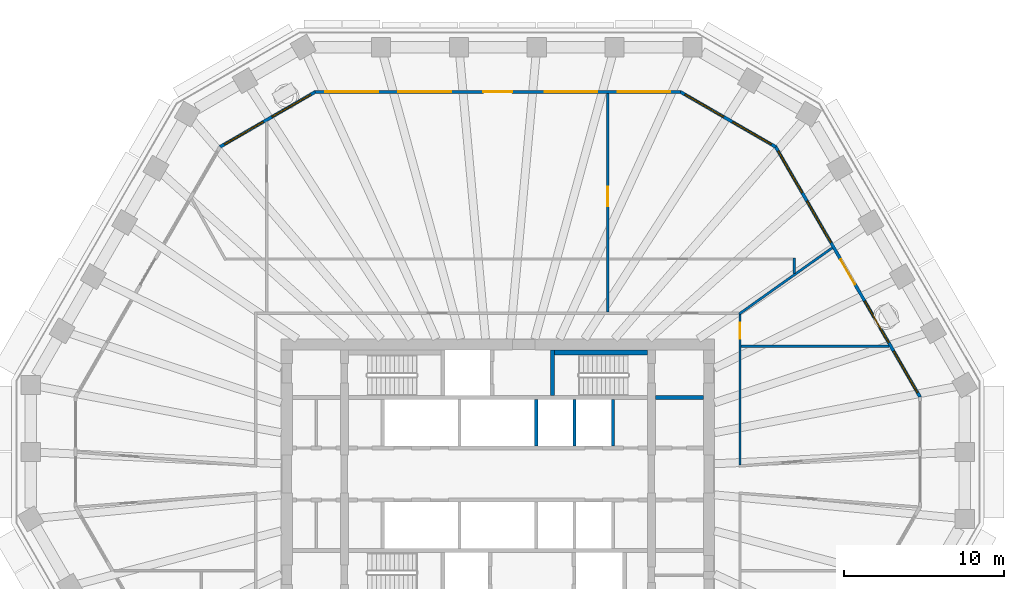
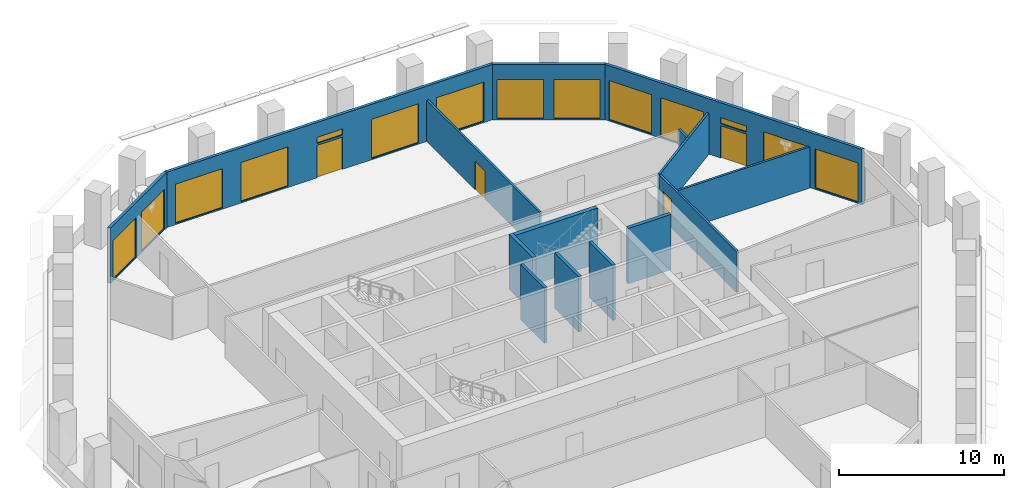
# One storey, part 7 of 12: 15 walls, 14 windows, 4 doors, 18 openings.
"""IFC4 building model written with IfcOpenShell, lengths in metres."""

from ifc_helpers import new_model, si_unit, direction, frame, frame_2d, origin, place, context, subcontext, project, spatial, polyline, rectangle, outline, extrude, material, layer, layer_set, type_object, element, fill, save


model = new_model("IFC4")

# Units and contexts
model_context = context("Model", 3, precision=1e-05, world=origin(), true_north=direction((0.0, 1.0)))
body_context = subcontext(model_context, "Body", "Model", "MODEL_VIEW")
ifc_project = project(units=[si_unit("LENGTHUNIT", "METRE"), si_unit("AREAUNIT", "SQUARE_METRE"), si_unit("VOLUMEUNIT", "CUBIC_METRE"), si_unit("PLANEANGLEUNIT", "RADIAN"), si_unit("MASSUNIT", "GRAM", prefix="KILO")], contexts=[model_context])

# Site, building, storey
site_placement = place(None, origin())
site = spatial("IfcSite", under=ifc_project, at=site_placement, CompositionType="ELEMENT")
building_placement = place(site_placement, origin())
building = spatial("IfcBuilding", under=site, at=building_placement, Name="Frailejon Research Tower", CompositionType="ELEMENT")
storey_placement = place(building_placement, frame((0.0, 0.0, 189.199951171875)))
storey = spatial("IfcBuildingStorey", under=building, at=storey_placement, Name="L41", CompositionType="ELEMENT", Elevation=189.199951171875)

# Wall, opening, door
ifc_material_1 = material(Name="Gypsum board and masonry partition", Category="masonry")
ifc_layer_1 = layer(ifc_material_1, 0.14990234375)
ifc_layer_set_1 = layer_set([ifc_layer_1], Name="Corridor wall EI 60, gypsum on steel studs 150")
wall_type_1 = type_object("IfcWallType", Name="Corridor wall EI 60, gypsum on steel studs 150", PredefinedType="PARTITIONING", material=ifc_layer_set_1)
wall_1_placement = place(storey_placement, frame((15.14990234375, 0.57568359375, 0.0), z_axis=(0.0, 0.0, 1.0), x_axis=(0.0, 1.0, 0.0)))
wall_1 = element("IfcWall", 1, at=wall_1_placement, inside=storey, type_object=wall_type_1, Name="T:IW:L41:002", PredefinedType="PARTITIONING", context=body_context, shape_type="SweptSolid", body=[
    extrude(rectangle(XDim=9.3994140625, YDim=0.14990234375, at=frame_2d((4.69970703125, 0.0))), origin(), (0.0, 0.0, 1.0), 3.050048828125),
])
opening_1_placement = place(wall_1_placement, frame((7.88671875, 0.0, 0.0)))
opening_1 = element("IfcOpeningElement", 2, at=opening_1_placement, cuts=wall_1, Name="Opening D1884", PredefinedType="OPENING", context=body_context, shape_type="SweptSolid", body=[
    extrude(rectangle(XDim=1.0, YDim=2.10009765625, at=frame_2d((0.5, 1.050048828125))), frame((0.0, 0.0849609375, 0.0), z_axis=(0.0, -1.0, 0.0), x_axis=(1.0, 0.0, 0.0)), (0.0, 0.0, 1.0), 0.169921875),
])
ifc_material_2 = material(Name="Timber door leaf", Category="wood")
door_type_1 = type_object("IfcDoorType", Name="Door laboratory, timber, vision panel 1000", OperationType="NOTDEFINED", PredefinedType="DOOR", material=ifc_material_2)
door_1_placement = place(opening_1_placement, origin())
door_1 = element("IfcDoor", 3, at=door_1_placement, inside=storey, type_object=door_type_1, Name="D1884", OperationType="SINGLE_SWING_RIGHT", OverallHeight=2.10009765625, OverallWidth=1.0, PredefinedType="DOOR", context=body_context, shape_type="SweptSolid", body=[
    extrude(rectangle(XDim=1.0, YDim=2.10009765625, at=frame_2d((0.5, 1.050048828125))), frame((0.0, 0.02490234375, 0.0), z_axis=(0.0, -1.0, 0.0), x_axis=(1.0, 0.0, 0.0)), (0.0, 0.0, 1.0), 0.050048828125),
])
fill(opening_1, door_1)

# Walls
ifc_material_3 = material(Name="Gypsum board and masonry partition", Category="masonry")
ifc_layer_2 = layer(ifc_material_3, 0.14990234375)
ifc_layer_set_2 = layer_set([ifc_layer_2], Name="Laboratory partition, blockwork 150")
wall_type_2 = type_object("IfcWallType", Name="Laboratory partition, blockwork 150", PredefinedType="PARTITIONING", material=ifc_layer_set_2)
wall_2_placement = place(storey_placement, frame((15.22509765625, 7.984619140625, 0.0), z_axis=(0.0, 0.0, 1.0), x_axis=(1.0, 0.0, 0.0)))
element("IfcWall", 4, at=wall_2_placement, inside=storey, type_object=wall_type_2, Name="T:IW:L41:011", PredefinedType="PARTITIONING", context=body_context, shape_type="SweptSolid", body=[
    extrude(rectangle(XDim=9.243408203125, YDim=0.14990234375, at=frame_2d((4.62158203125, 0.0))), origin(), (0.0, 0.0, 1.0), 3.050048828125),
])
wall_3_placement = place(storey_placement, frame((15.0888671875, 10.006591796875, 0.0), z_axis=(0.0, 0.0, 1.0), x_axis=(0.815227116073, 0.579141389661, 0.0)))
element("IfcWall", 5, at=wall_3_placement, inside=storey, type_object=wall_type_2, Name="T:IW:L41:012", PredefinedType="PARTITIONING", context=body_context, shape_type="SweptSolid", body=[
    extrude(rectangle(XDim=7.143798828125, YDim=0.14990234375, at=frame_2d((3.57177734375, 0.0))), origin(), (0.0, 0.0, 1.0), 3.050048828125),
])
wall_4_placement = place(storey_placement, frame((18.550048828125, 12.54052734375, 0.0), z_axis=(0.0, 0.0, 1.0), x_axis=(0.0, 1.0, 0.0)))
element("IfcWall", 6, at=wall_4_placement, inside=storey, type_object=wall_type_2, Name="T:IW:L41:014", PredefinedType="PARTITIONING", context=body_context, shape_type="SweptSolid", body=[
    extrude(rectangle(XDim=0.984375, YDim=0.14990234375, at=frame_2d((0.4921875, 0.0))), origin(), (0.0, 0.0, 1.0), 3.050048828125),
])

# Wall, opening, door
wall_5_placement = place(storey_placement, frame((6.871826171875, 10.125, 0.0), z_axis=(0.0, 0.0, 1.0), x_axis=(0.0, 1.0, 0.0)))
wall_5 = element("IfcWall", 7, at=wall_5_placement, inside=storey, type_object=wall_type_2, Name="T:IW:L41:015", PredefinedType="PARTITIONING", context=body_context, shape_type="SweptSolid", body=[
    extrude(rectangle(XDim=13.675048828125, YDim=0.14990234375, at=frame_2d((6.83740234375, 0.0))), origin(), (0.0, 0.0, 1.0), 3.050048828125),
])
opening_2_placement = place(wall_5_placement, frame((6.632568359375, 0.0, 0.0)))
opening_2 = element("IfcOpeningElement", 8, at=opening_2_placement, cuts=wall_5, Name="Opening D1887", PredefinedType="OPENING", context=body_context, shape_type="SweptSolid", body=[
    extrude(rectangle(XDim=1.199951171875, YDim=2.10009765625, at=frame_2d((0.60009765625, 1.050048828125))), frame((0.0, 0.0849609375, 0.0), z_axis=(0.0, -1.0, 0.0), x_axis=(1.0, 0.0, 0.0)), (0.0, 0.0, 1.0), 0.169921875),
])
ifc_material_4 = material(Name="Timber door leaf", Category="wood")
door_type_2 = type_object("IfcDoorType", Name="Door laboratory, timber, vision panel 1200", OperationType="NOTDEFINED", PredefinedType="DOOR", material=ifc_material_4)
door_2_placement = place(opening_2_placement, origin())
door_2 = element("IfcDoor", 9, at=door_2_placement, inside=storey, type_object=door_type_2, Name="D1887", OperationType="DOUBLE_DOOR_SINGLE_SWING", OverallHeight=2.10009765625, OverallWidth=1.199951171875, PredefinedType="DOOR", context=body_context, shape_type="SweptSolid", body=[
    extrude(rectangle(XDim=1.199951171875, YDim=2.10009765625, at=frame_2d((0.60009765625, 1.050048828125))), frame((0.0, 0.02490234375, 0.0), z_axis=(0.0, -1.0, 0.0), x_axis=(1.0, 0.0, 0.0)), (0.0, 0.0, 1.0), 0.050048828125),
])
fill(opening_2, door_2)

# Walls
ifc_material_5 = material(Name="Concrete C60/75", Category="concrete")
ifc_layer_3 = layer(ifc_material_5, 0.199951171875)
ifc_layer_set_3 = layer_set([ifc_layer_3], Name="Shaft wall 200 C60/75")
wall_type_3 = type_object("IfcWallType", Name="Shaft wall 200 C60/75", PredefinedType="SOLIDWALL", material=ifc_layer_set_3)
for number, where, z_axis, x_axis, name in (
    (10, (2.39990234375, 1.75, 0.0), (0.0, 0.0, 1.0), (0.0, 1.0, 0.0), "Shaft wall"),
    (11, (4.800048828125, 1.75, 0.0), (0.0, 0.0, 1.0), (0.0, 1.0, 0.0), "Shaft wall"),
    (12, (7.199951171875, 1.75, 0.0), (0.0, 0.0, 1.0), (0.0, 1.0, 0.0), "Shaft wall"),
):
    element("IfcWall", number, at=place(storey_placement, frame(where, z_axis=z_axis, x_axis=x_axis)), inside=storey, type_object=wall_type_3, Name=name, PredefinedType="SOLIDWALL", context=body_context, shape_type="SweptSolid", body=[
        extrude(rectangle(XDim=2.89990234375, YDim=0.199951171875, at=frame_2d((1.449951171875, 0.0))), origin(), (0.0, 0.0, 1.0), 4.10009765625),
    ])
ifc_material_6 = material(Name="Concrete C60/75", Category="concrete")
ifc_layer_4 = layer(ifc_material_6, 0.25)
ifc_layer_set_4 = layer_set([ifc_layer_4], Name="Shaft wall 250 C60/75")
wall_type_4 = type_object("IfcWallType", Name="Shaft wall 250 C60/75", PredefinedType="SOLIDWALL", material=ifc_layer_set_4)
wall_6_placement = place(storey_placement, frame((9.85009765625, 4.77490234375, 0.0), z_axis=(0.0, 0.0, 1.0), x_axis=(1.0, 0.0, 0.0)))
element("IfcWall", 13, at=wall_6_placement, inside=storey, type_object=wall_type_4, Name="Shaft wall", PredefinedType="SOLIDWALL", context=body_context, shape_type="SweptSolid", body=[
    extrude(rectangle(XDim=3.0, YDim=0.25, at=frame_2d((1.5, 0.0))), origin(), (0.0, 0.0, 1.0), 4.10009765625),
])
wall_7_placement = place(storey_placement, frame((3.425048828125, 4.89990234375, 0.0), z_axis=(0.0, 0.0, 1.0), x_axis=(0.0, 1.0, 0.0)))
element("IfcWall", 14, at=wall_7_placement, inside=storey, type_object=wall_type_4, Name="Shaft wall", PredefinedType="SOLIDWALL", context=body_context, shape_type="SweptSolid", body=[
    extrude(rectangle(XDim=2.85009765625, YDim=0.25, at=frame_2d((1.425048828125, 0.0))), origin(), (0.0, 0.0, 1.0), 4.10009765625),
])
ifc_material_7 = material(Name="Concrete C60/75", Category="concrete")
ifc_layer_5 = layer(ifc_material_7, 0.300048828125)
ifc_layer_set_5 = layer_set([ifc_layer_5], Name="Shaft wall 300 C60/75")
wall_type_5 = type_object("IfcWallType", Name="Shaft wall 300 C60/75", PredefinedType="SOLIDWALL", material=ifc_layer_set_5)
wall_8_placement = place(storey_placement, frame((3.550048828125, 7.60009765625, 0.0), z_axis=(0.0, 0.0, 1.0), x_axis=(1.0, 0.0, 0.0)))
element("IfcWall", 15, at=wall_8_placement, inside=storey, type_object=wall_type_5, Name="Shaft wall", PredefinedType="SOLIDWALL", context=body_context, shape_type="SweptSolid", body=[
    extrude(rectangle(XDim=5.800048828125, YDim=0.300048828125, at=frame_2d((2.89990234375, 0.0))), origin(), (0.0, 0.0, 1.0), 4.10009765625),
])

# Wall, openings, door, windows
ifc_material_8 = material(Name="Concrete C40/50 precast window wall panel", Category="concrete")
ifc_layer_6 = layer(ifc_material_8, 0.199951171875)
ifc_layer_set_6 = layer_set([ifc_layer_6], Name="Window wall 200")
wall_type_6 = type_object("IfcWallType", Name="Window wall 200", PredefinedType="SOLIDWALL", material=ifc_layer_set_6)
wall_9_placement = place(storey_placement, frame((26.4111328125, 4.820068359375, 0.0), z_axis=(0.0, 0.0, 1.0), x_axis=(-0.500000137386, 0.866025324465, 0.0)))
wall_9 = element("IfcWall", 16, at=wall_9_placement, inside=storey, type_object=wall_type_6, Name="Exterior wall L41", PredefinedType="SOLIDWALL", context=body_context, shape_type="SweptSolid", body=[
    extrude(outline(polyline([(-0.02685546875, -0.10009765625), (0.9794921875, -0.10009765625), (1.986083984375, -0.10009765625), (2.992431640625, -0.10009765625), (3.9990234375, -0.10009765625), (5.00537109375, -0.10009765625), (6.011962890625, -0.10009765625), (7.018310546875, -0.10009765625), (8.02490234375, -0.10009765625), (9.03125, -0.10009765625), (10.03759765625, -0.10009765625), (11.044189453125, -0.10009765625), (12.050537109375, -0.10009765625), (13.05712890625, -0.10009765625), (14.0634765625, -0.10009765625), (15.070068359375, -0.10009765625), (16.076416015625, -0.10009765625), (17.0830078125, -0.10009765625), (18.08935546875, -0.10009765625), (18.03564453125, 0.10009765625), (17.03515625, 0.10009765625), (16.03466796875, 0.10009765625), (15.0341796875, 0.10009765625), (14.03369140625, 0.10009765625), (13.033203125, 0.10009765625), (12.03271484375, 0.10009765625), (11.0322265625, 0.10009765625), (10.03173828125, 0.10009765625), (9.03125, 0.10009765625), (8.03076171875, 0.10009765625), (7.0302734375, 0.10009765625), (6.02978515625, 0.10009765625), (5.029296875, 0.10009765625), (4.02880859375, 0.10009765625), (3.0283203125, 0.10009765625), (2.02783203125, 0.10009765625), (1.02734375, 0.10009765625), (0.02685546875, 0.10009765625), (-0.02685546875, -0.10009765625)])), origin(), (0.0, 0.0, 1.0), 4.10009765625),
])
opening_3_placement = place(wall_9_placement, frame((0.306396484375, 0.0, 0.10009765625)))
opening_3 = element("IfcOpeningElement", 17, at=opening_3_placement, cuts=wall_9, Name="Opening W4", PredefinedType="OPENING", context=body_context, shape_type="SweptSolid", body=[
    extrude(rectangle(XDim=3.0, YDim=2.89990234375, at=frame_2d((1.5, 1.449951171875))), frame((0.0, 0.10986328125, 0.0), z_axis=(0.0, -1.0, 0.0), x_axis=(1.0, 0.0, 0.0)), (0.0, 0.0, 1.0), 0.219970703125),
])
opening_4_placement = place(wall_9_placement, frame((3.918701171875, 0.0, 0.10009765625)))
opening_4 = element("IfcOpeningElement", 18, at=opening_4_placement, cuts=wall_9, Name="Opening W4", PredefinedType="OPENING", context=body_context, shape_type="SweptSolid", body=[
    extrude(rectangle(XDim=3.0, YDim=2.89990234375, at=frame_2d((1.5, 1.449951171875))), frame((0.0, 0.10986328125, 0.0), z_axis=(0.0, -1.0, 0.0), x_axis=(1.0, 0.0, 0.0)), (0.0, 0.0, 1.0), 0.219970703125),
])
opening_5_placement = place(wall_9_placement, frame((8.13134765625, 0.0, 0.0)))
opening_5 = element("IfcOpeningElement", 19, at=opening_5_placement, cuts=wall_9, Name="Opening LG41-1", PredefinedType="OPENING", context=body_context, shape_type="SweptSolid", body=[
    extrude(rectangle(XDim=1.800048828125, YDim=2.39990234375, at=frame_2d((0.89990234375, 1.199951171875))), frame((0.0, 0.10986328125, 0.0), z_axis=(0.0, -1.0, 0.0), x_axis=(1.0, 0.0, 0.0)), (0.0, 0.0, 1.0), 0.219970703125),
])
opening_6_placement = place(wall_9_placement, frame((8.13134765625, 0.0, 2.550048828125)))
opening_6 = element("IfcOpeningElement", 20, at=opening_6_placement, cuts=wall_9, Name="Opening W1", PredefinedType="OPENING", context=body_context, shape_type="SweptSolid", body=[
    extrude(rectangle(XDim=1.800048828125, YDim=0.449951171875, at=frame_2d((0.89990234375, 0.22509765625))), frame((0.0, 0.10986328125, 0.0), z_axis=(0.0, -1.0, 0.0), x_axis=(1.0, 0.0, 0.0)), (0.0, 0.0, 1.0), 0.219970703125),
])
opening_7_placement = place(wall_9_placement, frame((11.143798828125, 0.0, 0.10009765625)))
opening_7 = element("IfcOpeningElement", 21, at=opening_7_placement, cuts=wall_9, Name="Opening W4", PredefinedType="OPENING", context=body_context, shape_type="SweptSolid", body=[
    extrude(rectangle(XDim=3.0, YDim=2.89990234375, at=frame_2d((1.5, 1.449951171875))), frame((0.0, 0.10986328125, 0.0), z_axis=(0.0, -1.0, 0.0), x_axis=(1.0, 0.0, 0.0)), (0.0, 0.0, 1.0), 0.219970703125),
])
opening_8_placement = place(wall_9_placement, frame((14.75634765625, 0.0, 0.10009765625)))
opening_8 = element("IfcOpeningElement", 22, at=opening_8_placement, cuts=wall_9, Name="Opening W4", PredefinedType="OPENING", context=body_context, shape_type="SweptSolid", body=[
    extrude(rectangle(XDim=3.0, YDim=2.89990234375, at=frame_2d((1.5, 1.449951171875))), frame((0.0, 0.10986328125, 0.0), z_axis=(0.0, -1.0, 0.0), x_axis=(1.0, 0.0, 0.0)), (0.0, 0.0, 1.0), 0.219970703125),
])
ifc_material_9 = material(Name="Aluminium framed glazed door leaf", Category="aluminium")
door_type_3 = type_object("IfcDoorType", Name="Loggia door 1800x2400", OperationType="DOUBLE_DOOR_SINGLE_SWING", PredefinedType="DOOR", material=ifc_material_9)
door_3_placement = place(opening_5_placement, origin())
door_3 = element("IfcDoor", 23, at=door_3_placement, inside=storey, type_object=door_type_3, Name="Door LG41-1", OperationType="DOUBLE_DOOR_SINGLE_SWING", OverallHeight=2.39990234375, OverallWidth=1.800048828125, PredefinedType="DOOR", context=body_context, shape_type="SweptSolid", body=[
    extrude(rectangle(XDim=1.800048828125, YDim=2.39990234375, at=frame_2d((0.89990234375, 1.199951171875))), frame((0.0, 0.02490234375, 0.0), z_axis=(0.0, -1.0, 0.0), x_axis=(1.0, 0.0, 0.0)), (0.0, 0.0, 1.0), 0.050048828125),
])
fill(opening_5, door_3)
ifc_material_10 = material(Name="Aluminium framed double glazing", Category="aluminium")
window_type_1 = type_object("IfcWindowType", Name="Window 1800x450", PartitioningType="SINGLE_PANEL", PredefinedType="WINDOW", material=ifc_material_10)
window_1_placement = place(opening_6_placement, origin())
window_1 = element("IfcWindow", 24, at=window_1_placement, inside=storey, type_object=window_type_1, Name="Window L41", OverallHeight=0.449951171875, OverallWidth=1.800048828125, PartitioningType="SINGLE_PANEL", PredefinedType="WINDOW", context=body_context, shape_type="SweptSolid", body=[
    extrude(rectangle(XDim=1.800048828125, YDim=0.449951171875, at=frame_2d((0.89990234375, 0.22509765625))), frame((0.0, 0.030029296875, 0.0), z_axis=(0.0, -1.0, 0.0), x_axis=(1.0, 0.0, 0.0)), (0.0, 0.0, 1.0), 0.06005859375),
])
fill(opening_6, window_1)
ifc_material_11 = material(Name="Aluminium framed double glazing", Category="aluminium")
window_type_2 = type_object("IfcWindowType", Name="Window 3000x2900", PartitioningType="SINGLE_PANEL", PredefinedType="WINDOW", material=ifc_material_11)
window_2_placement = place(opening_3_placement, origin())
window_2 = element("IfcWindow", 25, at=window_2_placement, inside=storey, type_object=window_type_2, Name="Window L41", OverallHeight=2.89990234375, OverallWidth=3.0, PartitioningType="SINGLE_PANEL", PredefinedType="WINDOW", context=body_context, shape_type="SweptSolid", body=[
    extrude(rectangle(XDim=3.0, YDim=2.89990234375, at=frame_2d((1.5, 1.449951171875))), frame((0.0, 0.030029296875, 0.0), z_axis=(0.0, -1.0, 0.0), x_axis=(1.0, 0.0, 0.0)), (0.0, 0.0, 1.0), 0.06005859375),
])
fill(opening_3, window_2)
window_3_placement = place(opening_4_placement, origin())
window_3 = element("IfcWindow", 26, at=window_3_placement, inside=storey, type_object=window_type_2, Name="Window L41", OverallHeight=2.89990234375, OverallWidth=3.0, PartitioningType="SINGLE_PANEL", PredefinedType="WINDOW", context=body_context, shape_type="SweptSolid", body=[
    extrude(rectangle(XDim=3.0, YDim=2.89990234375, at=frame_2d((1.5, 1.449951171875))), frame((0.0, 0.030029296875, 0.0), z_axis=(0.0, -1.0, 0.0), x_axis=(1.0, 0.0, 0.0)), (0.0, 0.0, 1.0), 0.06005859375),
])
fill(opening_4, window_3)
window_4_placement = place(opening_7_placement, origin())
window_4 = element("IfcWindow", 27, at=window_4_placement, inside=storey, type_object=window_type_2, Name="Window L41", OverallHeight=2.89990234375, OverallWidth=3.0, PartitioningType="SINGLE_PANEL", PredefinedType="WINDOW", context=body_context, shape_type="SweptSolid", body=[
    extrude(rectangle(XDim=3.0, YDim=2.89990234375, at=frame_2d((1.5, 1.449951171875))), frame((0.0, 0.030029296875, 0.0), z_axis=(0.0, -1.0, 0.0), x_axis=(1.0, 0.0, 0.0)), (0.0, 0.0, 1.0), 0.06005859375),
])
fill(opening_7, window_4)
window_5_placement = place(opening_8_placement, origin())
window_5 = element("IfcWindow", 28, at=window_5_placement, inside=storey, type_object=window_type_2, Name="Window L41", OverallHeight=2.89990234375, OverallWidth=3.0, PartitioningType="SINGLE_PANEL", PredefinedType="WINDOW", context=body_context, shape_type="SweptSolid", body=[
    extrude(rectangle(XDim=3.0, YDim=2.89990234375, at=frame_2d((1.5, 1.449951171875))), frame((0.0, 0.030029296875, 0.0), z_axis=(0.0, -1.0, 0.0), x_axis=(1.0, 0.0, 0.0)), (0.0, 0.0, 1.0), 0.06005859375),
])
fill(opening_8, window_5)

# Wall, openings, windows
wall_10_placement = place(storey_placement, frame((17.3798828125, 20.462646484375, 0.0), z_axis=(0.0, 0.0, 1.0), x_axis=(-0.866029458321, 0.49999297727, 0.0)))
wall_10 = element("IfcWall", 29, at=wall_10_placement, inside=storey, type_object=wall_type_6, Name="Exterior wall L41", PredefinedType="SOLIDWALL", context=body_context, shape_type="SweptSolid", body=[
    extrude(outline(polyline([(-0.02685546875, -0.10009765625), (1.1279296875, -0.10009765625), (2.282470703125, -0.10009765625), (3.437255859375, -0.10009765625), (4.592041015625, -0.10009765625), (5.74658203125, -0.10009765625), (6.9013671875, -0.10009765625), (6.84765625, 0.10009765625), (5.7109375, 0.10009765625), (4.573974609375, 0.10009765625), (3.437255859375, 0.10009765625), (2.300537109375, 0.10009765625), (1.16357421875, 0.10009765625), (0.02685546875, 0.10009765625), (-0.02685546875, -0.10009765625)])), origin(), (0.0, 0.0, 1.0), 4.10009765625),
])
opening_9_placement = place(wall_10_placement, frame((0.318603515625, 0.0, 0.10009765625)))
opening_9 = element("IfcOpeningElement", 30, at=opening_9_placement, cuts=wall_10, Name="Opening W3", PredefinedType="OPENING", context=body_context, shape_type="SweptSolid", body=[
    extrude(rectangle(XDim=2.800048828125, YDim=2.89990234375, at=frame_2d((1.39990234375, 1.449951171875))), frame((0.0, 0.10986328125, 0.0), z_axis=(0.0, -1.0, 0.0), x_axis=(1.0, 0.0, 0.0)), (0.0, 0.0, 1.0), 0.219970703125),
])
opening_10_placement = place(wall_10_placement, frame((3.756103515625, 0.0, 0.10009765625)))
opening_10 = element("IfcOpeningElement", 31, at=opening_10_placement, cuts=wall_10, Name="Opening W3", PredefinedType="OPENING", context=body_context, shape_type="SweptSolid", body=[
    extrude(rectangle(XDim=2.800048828125, YDim=2.89990234375, at=frame_2d((1.39990234375, 1.449951171875))), frame((0.0, 0.10986328125, 0.0), z_axis=(0.0, -1.0, 0.0), x_axis=(1.0, 0.0, 0.0)), (0.0, 0.0, 1.0), 0.219970703125),
])
ifc_material_12 = material(Name="Aluminium framed double glazing", Category="aluminium")
window_type_3 = type_object("IfcWindowType", Name="Window 2800x2900", PartitioningType="SINGLE_PANEL", PredefinedType="WINDOW", material=ifc_material_12)
window_6_placement = place(opening_9_placement, origin())
window_6 = element("IfcWindow", 32, at=window_6_placement, inside=storey, type_object=window_type_3, Name="Window L41", OverallHeight=2.89990234375, OverallWidth=2.800048828125, PartitioningType="SINGLE_PANEL", PredefinedType="WINDOW", context=body_context, shape_type="SweptSolid", body=[
    extrude(rectangle(XDim=2.800048828125, YDim=2.89990234375, at=frame_2d((1.39990234375, 1.449951171875))), frame((0.0, 0.030029296875, 0.0), z_axis=(0.0, -1.0, 0.0), x_axis=(1.0, 0.0, 0.0)), (0.0, 0.0, 1.0), 0.06005859375),
])
fill(opening_9, window_6)
window_7_placement = place(opening_10_placement, origin())
window_7 = element("IfcWindow", 33, at=window_7_placement, inside=storey, type_object=window_type_3, Name="Window L41", OverallHeight=2.89990234375, OverallWidth=2.800048828125, PartitioningType="SINGLE_PANEL", PredefinedType="WINDOW", context=body_context, shape_type="SweptSolid", body=[
    extrude(rectangle(XDim=2.800048828125, YDim=2.89990234375, at=frame_2d((1.39990234375, 1.449951171875))), frame((0.0, 0.030029296875, 0.0), z_axis=(0.0, -1.0, 0.0), x_axis=(1.0, 0.0, 0.0)), (0.0, 0.0, 1.0), 0.06005859375),
])
fill(opening_10, window_7)

# Wall, openings, door, windows
wall_11_placement = place(storey_placement, frame((11.42626953125, 23.89990234375, 0.0), z_axis=(0.0, 0.0, 1.0), x_axis=(-1.0, 0.0, 0.0)))
wall_11 = element("IfcWall", 34, at=wall_11_placement, inside=storey, type_object=wall_type_6, Name="Exterior wall L41", PredefinedType="SOLIDWALL", context=body_context, shape_type="SweptSolid", body=[
    extrude(outline(polyline([(-0.02685546875, -0.10009765625), (1.014404296875, -0.10009765625), (2.055419921875, -0.10009765625), (3.0966796875, -0.10009765625), (4.137939453125, -0.10009765625), (5.17919921875, -0.10009765625), (6.22021484375, -0.10009765625), (7.261474609375, -0.10009765625), (8.302734375, -0.10009765625), (9.343994140625, -0.10009765625), (10.385009765625, -0.10009765625), (11.42626953125, -0.10009765625), (12.467529296875, -0.10009765625), (13.508544921875, -0.10009765625), (14.5498046875, -0.10009765625), (15.591064453125, -0.10009765625), (16.63232421875, -0.10009765625), (17.67333984375, -0.10009765625), (18.714599609375, -0.10009765625), (19.755859375, -0.10009765625), (20.797119140625, -0.10009765625), (21.838134765625, -0.10009765625), (22.87939453125, -0.10009765625), (22.82568359375, 0.10009765625), (21.789306640625, 0.10009765625), (20.753173828125, 0.10009765625), (19.716796875, 0.10009765625), (18.680419921875, 0.10009765625), (17.64404296875, 0.10009765625), (16.60791015625, 0.10009765625), (15.571533203125, 0.10009765625), (14.53515625, 0.10009765625), (13.498779296875, 0.10009765625), (12.462646484375, 0.10009765625), (11.42626953125, 0.10009765625), (10.389892578125, 0.10009765625), (9.353759765625, 0.10009765625), (8.3173828125, 0.10009765625), (7.281005859375, 0.10009765625), (6.24462890625, 0.10009765625), (5.20849609375, 0.10009765625), (4.172119140625, 0.10009765625), (3.1357421875, 0.10009765625), (2.099365234375, 0.10009765625), (1.063232421875, 0.10009765625), (0.02685546875, 0.10009765625), (-0.02685546875, -0.10009765625)])), origin(), (0.0, 0.0, 1.0), 4.10009765625),
])
opening_11_placement = place(wall_11_placement, frame((0.63525390625, 0.0, 0.10009765625)))
opening_11 = element("IfcOpeningElement", 35, at=opening_11_placement, cuts=wall_11, Name="Opening W5", PredefinedType="OPENING", context=body_context, shape_type="SweptSolid", body=[
    extrude(rectangle(XDim=3.300048828125, YDim=2.89990234375, at=frame_2d((1.64990234375, 1.449951171875))), frame((0.0, 0.10986328125, 0.0), z_axis=(0.0, -1.0, 0.0), x_axis=(1.0, 0.0, 0.0)), (0.0, 0.0, 1.0), 0.219970703125),
])
opening_12_placement = place(wall_11_placement, frame((5.205810546875, 0.0, 0.10009765625)))
opening_12 = element("IfcOpeningElement", 36, at=opening_12_placement, cuts=wall_11, Name="Opening W5", PredefinedType="OPENING", context=body_context, shape_type="SweptSolid", body=[
    extrude(rectangle(XDim=3.300048828125, YDim=2.89990234375, at=frame_2d((1.64990234375, 1.449951171875))), frame((0.0, 0.10986328125, 0.0), z_axis=(0.0, -1.0, 0.0), x_axis=(1.0, 0.0, 0.0)), (0.0, 0.0, 1.0), 0.219970703125),
])
opening_13_placement = place(wall_11_placement, frame((10.5263671875, 0.0, 0.0)))
opening_13 = element("IfcOpeningElement", 37, at=opening_13_placement, cuts=wall_11, Name="Opening LG41-2", PredefinedType="OPENING", context=body_context, shape_type="SweptSolid", body=[
    extrude(rectangle(XDim=1.800048828125, YDim=2.39990234375, at=frame_2d((0.89990234375, 1.199951171875))), frame((0.0, 0.10986328125, 0.0), z_axis=(0.0, -1.0, 0.0), x_axis=(1.0, 0.0, 0.0)), (0.0, 0.0, 1.0), 0.219970703125),
])
opening_14_placement = place(wall_11_placement, frame((10.5263671875, 0.0, 2.550048828125)))
opening_14 = element("IfcOpeningElement", 38, at=opening_14_placement, cuts=wall_11, Name="Opening W1", PredefinedType="OPENING", context=body_context, shape_type="SweptSolid", body=[
    extrude(rectangle(XDim=1.800048828125, YDim=0.449951171875, at=frame_2d((0.89990234375, 0.22509765625))), frame((0.0, 0.10986328125, 0.0), z_axis=(0.0, -1.0, 0.0), x_axis=(1.0, 0.0, 0.0)), (0.0, 0.0, 1.0), 0.219970703125),
])
opening_15_placement = place(wall_11_placement, frame((14.3466796875, 0.0, 0.10009765625)))
opening_15 = element("IfcOpeningElement", 39, at=opening_15_placement, cuts=wall_11, Name="Opening W5", PredefinedType="OPENING", context=body_context, shape_type="SweptSolid", body=[
    extrude(rectangle(XDim=3.300048828125, YDim=2.89990234375, at=frame_2d((1.64990234375, 1.449951171875))), frame((0.0, 0.10986328125, 0.0), z_axis=(0.0, -1.0, 0.0), x_axis=(1.0, 0.0, 0.0)), (0.0, 0.0, 1.0), 0.219970703125),
])
opening_16_placement = place(wall_11_placement, frame((18.917236328125, 0.0, 0.10009765625)))
opening_16 = element("IfcOpeningElement", 40, at=opening_16_placement, cuts=wall_11, Name="Opening W5", PredefinedType="OPENING", context=body_context, shape_type="SweptSolid", body=[
    extrude(rectangle(XDim=3.300048828125, YDim=2.89990234375, at=frame_2d((1.64990234375, 1.449951171875))), frame((0.0, 0.10986328125, 0.0), z_axis=(0.0, -1.0, 0.0), x_axis=(1.0, 0.0, 0.0)), (0.0, 0.0, 1.0), 0.219970703125),
])
door_4_placement = place(opening_13_placement, origin())
door_4 = element("IfcDoor", 41, at=door_4_placement, inside=storey, type_object=door_type_3, Name="Door LG41-2", OperationType="DOUBLE_DOOR_SINGLE_SWING", OverallHeight=2.39990234375, OverallWidth=1.800048828125, PredefinedType="DOOR", context=body_context, shape_type="SweptSolid", body=[
    extrude(rectangle(XDim=1.800048828125, YDim=2.39990234375, at=frame_2d((0.89990234375, 1.199951171875))), frame((0.0, 0.02490234375, 0.0), z_axis=(0.0, -1.0, 0.0), x_axis=(1.0, 0.0, 0.0)), (0.0, 0.0, 1.0), 0.050048828125),
])
fill(opening_13, door_4)
window_8_placement = place(opening_14_placement, origin())
window_8 = element("IfcWindow", 42, at=window_8_placement, inside=storey, type_object=window_type_1, Name="Window L41", OverallHeight=0.449951171875, OverallWidth=1.800048828125, PartitioningType="SINGLE_PANEL", PredefinedType="WINDOW", context=body_context, shape_type="SweptSolid", body=[
    extrude(rectangle(XDim=1.800048828125, YDim=0.449951171875, at=frame_2d((0.89990234375, 0.22509765625))), frame((0.0, 0.030029296875, 0.0), z_axis=(0.0, -1.0, 0.0), x_axis=(1.0, 0.0, 0.0)), (0.0, 0.0, 1.0), 0.06005859375),
])
fill(opening_14, window_8)
ifc_material_13 = material(Name="Aluminium framed double glazing", Category="aluminium")
window_type_4 = type_object("IfcWindowType", Name="Window 3300x2900", PartitioningType="SINGLE_PANEL", PredefinedType="WINDOW", material=ifc_material_13)
window_9_placement = place(opening_11_placement, origin())
window_9 = element("IfcWindow", 43, at=window_9_placement, inside=storey, type_object=window_type_4, Name="Window L41", OverallHeight=2.89990234375, OverallWidth=3.300048828125, PartitioningType="SINGLE_PANEL", PredefinedType="WINDOW", context=body_context, shape_type="SweptSolid", body=[
    extrude(rectangle(XDim=3.300048828125, YDim=2.89990234375, at=frame_2d((1.64990234375, 1.449951171875))), frame((0.0, 0.030029296875, 0.0), z_axis=(0.0, -1.0, 0.0), x_axis=(1.0, 0.0, 0.0)), (0.0, 0.0, 1.0), 0.06005859375),
])
fill(opening_11, window_9)
window_10_placement = place(opening_12_placement, origin())
window_10 = element("IfcWindow", 44, at=window_10_placement, inside=storey, type_object=window_type_4, Name="Window L41", OverallHeight=2.89990234375, OverallWidth=3.300048828125, PartitioningType="SINGLE_PANEL", PredefinedType="WINDOW", context=body_context, shape_type="SweptSolid", body=[
    extrude(rectangle(XDim=3.300048828125, YDim=2.89990234375, at=frame_2d((1.64990234375, 1.449951171875))), frame((0.0, 0.030029296875, 0.0), z_axis=(0.0, -1.0, 0.0), x_axis=(1.0, 0.0, 0.0)), (0.0, 0.0, 1.0), 0.06005859375),
])
fill(opening_12, window_10)
window_11_placement = place(opening_15_placement, origin())
window_11 = element("IfcWindow", 45, at=window_11_placement, inside=storey, type_object=window_type_4, Name="Window L41", OverallHeight=2.89990234375, OverallWidth=3.300048828125, PartitioningType="SINGLE_PANEL", PredefinedType="WINDOW", context=body_context, shape_type="SweptSolid", body=[
    extrude(rectangle(XDim=3.300048828125, YDim=2.89990234375, at=frame_2d((1.64990234375, 1.449951171875))), frame((0.0, 0.030029296875, 0.0), z_axis=(0.0, -1.0, 0.0), x_axis=(1.0, 0.0, 0.0)), (0.0, 0.0, 1.0), 0.06005859375),
])
fill(opening_15, window_11)
window_12_placement = place(opening_16_placement, origin())
window_12 = element("IfcWindow", 46, at=window_12_placement, inside=storey, type_object=window_type_4, Name="Window L41", OverallHeight=2.89990234375, OverallWidth=3.300048828125, PartitioningType="SINGLE_PANEL", PredefinedType="WINDOW", context=body_context, shape_type="SweptSolid", body=[
    extrude(rectangle(XDim=3.300048828125, YDim=2.89990234375, at=frame_2d((1.64990234375, 1.449951171875))), frame((0.0, 0.030029296875, 0.0), z_axis=(0.0, -1.0, 0.0), x_axis=(1.0, 0.0, 0.0)), (0.0, 0.0, 1.0), 0.06005859375),
])
fill(opening_16, window_12)

# Wall, openings, windows
wall_12_placement = place(storey_placement, frame((-11.42626953125, 23.89990234375, 0.0), z_axis=(0.0, 0.0, 1.0), x_axis=(-0.866029458321, -0.49999297727, 0.0)))
wall_12 = element("IfcWall", 47, at=wall_12_placement, inside=storey, type_object=wall_type_6, Name="Exterior wall L41", PredefinedType="SOLIDWALL", context=body_context, shape_type="SweptSolid", body=[
    extrude(outline(polyline([(-0.02685546875, -0.10009765625), (1.1279296875, -0.10009765625), (2.282470703125, -0.10009765625), (3.437255859375, -0.10009765625), (4.592041015625, -0.10009765625), (5.74658203125, -0.10009765625), (6.9013671875, -0.10009765625), (6.84765625, 0.10009765625), (5.7109375, 0.10009765625), (4.573974609375, 0.10009765625), (3.437255859375, 0.10009765625), (2.300537109375, 0.10009765625), (1.16357421875, 0.10009765625), (0.02685546875, 0.10009765625), (-0.02685546875, -0.10009765625)])), origin(), (0.0, 0.0, 1.0), 4.10009765625),
])
opening_17_placement = place(wall_12_placement, frame((0.318603515625, 0.0, 0.10009765625)))
opening_17 = element("IfcOpeningElement", 48, at=opening_17_placement, cuts=wall_12, Name="Opening W3", PredefinedType="OPENING", context=body_context, shape_type="SweptSolid", body=[
    extrude(rectangle(XDim=2.800048828125, YDim=2.89990234375, at=frame_2d((1.39990234375, 1.449951171875))), frame((0.0, 0.10986328125, 0.0), z_axis=(0.0, -1.0, 0.0), x_axis=(1.0, 0.0, 0.0)), (0.0, 0.0, 1.0), 0.219970703125),
])
opening_18_placement = place(wall_12_placement, frame((3.756103515625, 0.0, 0.10009765625)))
opening_18 = element("IfcOpeningElement", 49, at=opening_18_placement, cuts=wall_12, Name="Opening W3", PredefinedType="OPENING", context=body_context, shape_type="SweptSolid", body=[
    extrude(rectangle(XDim=2.800048828125, YDim=2.89990234375, at=frame_2d((1.39990234375, 1.449951171875))), frame((0.0, 0.10986328125, 0.0), z_axis=(0.0, -1.0, 0.0), x_axis=(1.0, 0.0, 0.0)), (0.0, 0.0, 1.0), 0.219970703125),
])
window_13_placement = place(opening_17_placement, origin())
window_13 = element("IfcWindow", 50, at=window_13_placement, inside=storey, type_object=window_type_3, Name="Window L41", OverallHeight=2.89990234375, OverallWidth=2.800048828125, PartitioningType="SINGLE_PANEL", PredefinedType="WINDOW", context=body_context, shape_type="SweptSolid", body=[
    extrude(rectangle(XDim=2.800048828125, YDim=2.89990234375, at=frame_2d((1.39990234375, 1.449951171875))), frame((0.0, 0.030029296875, 0.0), z_axis=(0.0, -1.0, 0.0), x_axis=(1.0, 0.0, 0.0)), (0.0, 0.0, 1.0), 0.06005859375),
])
fill(opening_17, window_13)
window_14_placement = place(opening_18_placement, origin())
window_14 = element("IfcWindow", 51, at=window_14_placement, inside=storey, type_object=window_type_3, Name="Window L41", OverallHeight=2.89990234375, OverallWidth=2.800048828125, PartitioningType="SINGLE_PANEL", PredefinedType="WINDOW", context=body_context, shape_type="SweptSolid", body=[
    extrude(rectangle(XDim=2.800048828125, YDim=2.89990234375, at=frame_2d((1.39990234375, 1.449951171875))), frame((0.0, 0.030029296875, 0.0), z_axis=(0.0, -1.0, 0.0), x_axis=(1.0, 0.0, 0.0)), (0.0, 0.0, 1.0), 0.06005859375),
])
fill(opening_18, window_14)

save(model, "model.ifc")
